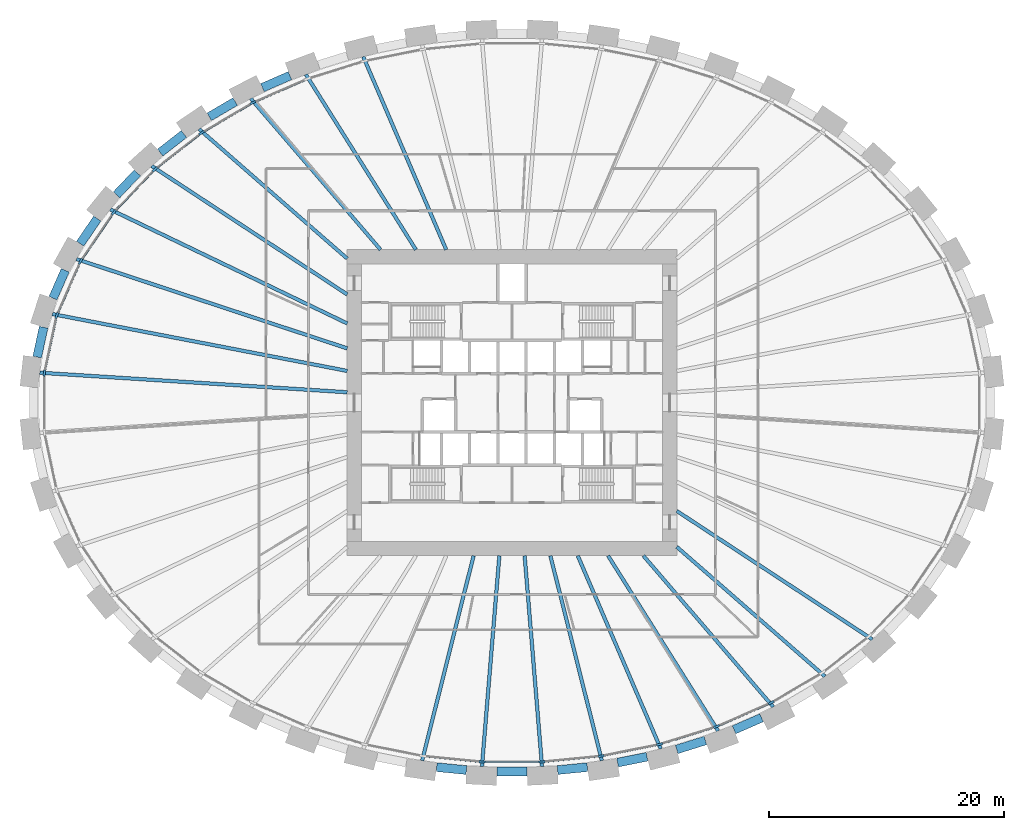
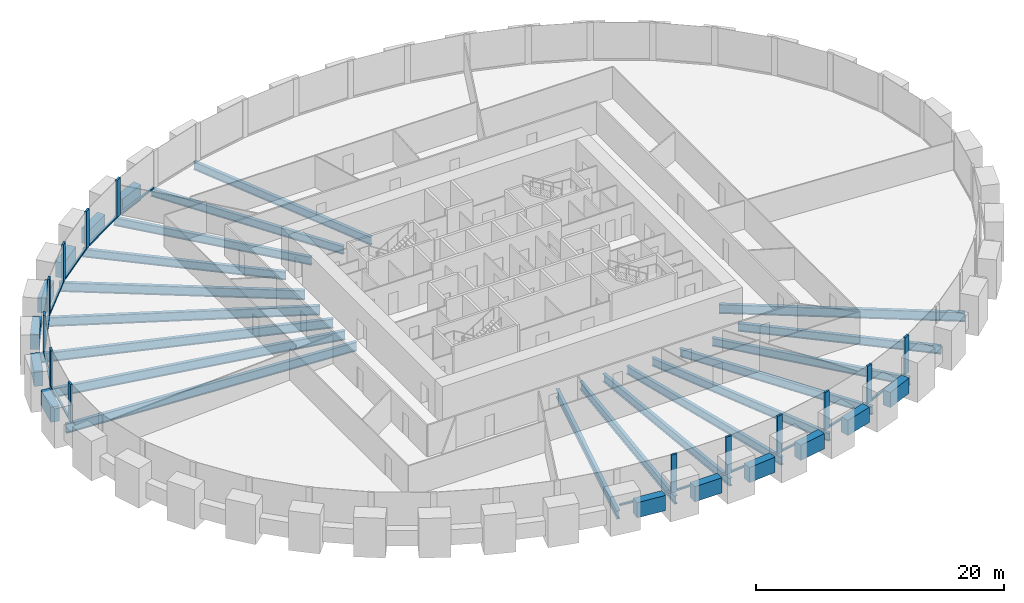
# One storey, part 2 of 10: 31 beams, 26 members, 1 element without a shape of its own.
"""IFC4 building model written with IfcOpenShell, lengths in metres."""

from ifc_helpers import new_model, si_unit, direction, frame, origin, origin_2d, place, context, subcontext, project, spatial, rectangle, i_section, extrude, source, transform, mapped, material, material_profile, profile_set, type_object, element, aggregate, save


model = new_model("IFC4")

# Units and contexts
model_context = context("Model", 3, precision=1e-05, world=origin(), true_north=direction((0.0, 1.0)))
body_context = subcontext(model_context, "Body", "Model", "MODEL_VIEW")
ifc_project = project(units=[si_unit("LENGTHUNIT", "METRE"), si_unit("AREAUNIT", "SQUARE_METRE"), si_unit("VOLUMEUNIT", "CUBIC_METRE"), si_unit("PLANEANGLEUNIT", "RADIAN"), si_unit("MASSUNIT", "GRAM", prefix="KILO")], contexts=[model_context])

# Site, building, storey
site_placement = place(None, origin())
site = spatial("IfcSite", under=ifc_project, at=site_placement, CompositionType="ELEMENT")
building_placement = place(site_placement, origin())
building = spatial("IfcBuilding", under=site, at=building_placement, Name="Embergate Tower", CompositionType="ELEMENT")
storey_placement = place(building_placement, frame((0.0, 0.0, 81.5)))
storey = spatial("IfcBuildingStorey", under=building, at=storey_placement, Name="L16", CompositionType="ELEMENT", Elevation=81.5)

# Beams
ifc_material_1 = material(Name="Concrete C70", Category="concrete")
ifc_material_profile_1 = material_profile(ifc_material_1, rectangle(XDim=0.75, YDim=1.5, at=origin_2d()), Name="RC 750x1500")
ifc_profile_set_1 = profile_set([ifc_material_profile_1], Name="Concrete C70")
beam_type_1 = type_object("IfcBeamType", Name="Spandrel beam RC 750x1500 C70", PredefinedType="BEAM", material=ifc_profile_set_1)
shared_shape_1 = source(origin(), body_context, "Body", "SweptSolid", [
    extrude(rectangle(XDim=0.75, YDim=1.5, at=origin_2d()), origin(), (0.0, 0.0, 1.0), 2.5869140625),
])
beam_1_placement = place(storey_placement, frame((-39.799072265625, 6.408935546875, 0.0), z_axis=(-0.210270227171, -0.977643304874, 0.0), x_axis=(0.977643304874, -0.210270227171, 0.0)))
element("IfcBeam", 1, at=beam_1_placement, inside=storey, type_object=beam_type_1, Name="SPN-L16-20", PredefinedType="BEAM", context=body_context, shape_type="MappedRepresentation", body=[
    mapped(shared_shape_1, transform((0.0, 0.0, 0.0))),
])
shared_shape_2 = source(origin(), body_context, "Body", "SweptSolid", [
    extrude(rectangle(XDim=0.75, YDim=1.5, at=origin_2d()), origin(), (0.0, 0.0, 1.0), 2.583251953125),
])
beam_2_placement = place(storey_placement, frame((-37.9619140625, 11.2490234375, 0.0), z_axis=(-0.401468201792, -0.915872962233, 0.0), x_axis=(0.915872962233, -0.401468201792, 0.0)))
element("IfcBeam", 2, at=beam_2_placement, inside=storey, type_object=beam_type_1, Name="SPN-L16-19", PredefinedType="BEAM", context=body_context, shape_type="MappedRepresentation", body=[
    mapped(shared_shape_2, transform((0.0, 0.0, 0.0))),
])
shared_shape_3 = source(origin(), body_context, "Body", "SweptSolid", [
    extrude(rectangle(XDim=0.75, YDim=1.5, at=origin_2d()), origin(), (0.0, 0.0, 1.0), 2.574951171875),
])
beam_3_placement = place(storey_placement, frame((-35.238037109375, 15.64306640625, 0.0), z_axis=(-0.562356702599, -0.826894756932, 0.0), x_axis=(0.826894756932, -0.562356702599, 0.0)))
element("IfcBeam", 3, at=beam_3_placement, inside=storey, type_object=beam_type_1, Name="SPN-L16-18", PredefinedType="BEAM", context=body_context, shape_type="MappedRepresentation", body=[
    mapped(shared_shape_3, transform((0.0, 0.0, 0.0))),
])
shared_shape_4 = source(origin(), body_context, "Body", "SweptSolid", [
    extrude(rectangle(XDim=0.75, YDim=1.5, at=origin_2d()), origin(), (0.0, 0.0, 1.0), 2.568115234375),
])
beam_4_placement = place(storey_placement, frame((-31.83203125, 19.52392578125, 0.0), z_axis=(-0.68998268655, -0.723825871506, 0.0), x_axis=(0.723825871506, -0.68998268655, 0.0)))
element("IfcBeam", 4, at=beam_4_placement, inside=storey, type_object=beam_type_1, Name="SPN-L16-17", PredefinedType="BEAM", context=body_context, shape_type="MappedRepresentation", body=[
    mapped(shared_shape_4, transform((0.0, 0.0, 0.0))),
])
shared_shape_5 = source(origin(), body_context, "Body", "SweptSolid", [
    extrude(rectangle(XDim=0.75, YDim=1.5, at=origin_2d()), origin(), (0.0, 0.0, 1.0), 2.560791015625),
])
beam_5_placement = place(storey_placement, frame((-27.8720703125, 22.8291015625, 0.0), z_axis=(-0.788437573921, -0.615114779557, 0.0), x_axis=(0.615114779557, -0.788437573921, 0.0)))
element("IfcBeam", 5, at=beam_5_placement, inside=storey, type_object=beam_type_1, Name="SPN-L16-16", PredefinedType="BEAM", context=body_context, shape_type="MappedRepresentation", body=[
    mapped(shared_shape_5, transform((0.0, 0.0, 0.0))),
])
shared_shape_6 = source(origin(), body_context, "Body", "SweptSolid", [
    extrude(rectangle(XDim=0.75, YDim=1.5, at=origin_2d()), origin(), (0.0, 0.0, 1.0), 2.55517578125),
])
beam_6_placement = place(storey_placement, frame((-23.51904296875, 25.5859375, 0.0), z_axis=(-0.862086455961, -0.506761228241, 0.0), x_axis=(0.506761228241, -0.862086455961, 0.0)))
element("IfcBeam", 6, at=beam_6_placement, inside=storey, type_object=beam_type_1, Name="SPN-L16-15", PredefinedType="BEAM", context=body_context, shape_type="MappedRepresentation", body=[
    mapped(shared_shape_6, transform((0.0, 0.0, 0.0))),
])
shared_shape_7 = source(origin(), body_context, "Body", "SweptSolid", [
    extrude(rectangle(XDim=0.75, YDim=1.5, at=origin_2d()), origin(), (0.0, 0.0, 1.0), 2.552001953125),
])
for number, where, z_axis, x_axis, name in (
    (7, (-18.864990234375, 27.791015625, 0.0), (-0.916139768309, -0.400858983836, 0.0), (0.400858983836, -0.916139768309, 0.0), "SPN-L16-14"),
    (8, (18.864990234375, -27.791015625, 0.0), (0.916139768309, 0.400858983836, 0.0), (-0.400858983836, 0.916139768309, 0.0), "SPN-L16-36"),
):
    element("IfcBeam", number, at=place(storey_placement, frame(where, z_axis=z_axis, x_axis=x_axis)), inside=storey, type_object=beam_type_1, Name=name, PredefinedType="BEAM", context=body_context, shape_type="MappedRepresentation", body=[
        mapped(shared_shape_7, transform((0.0, 0.0, 0.0))),
    ])
shared_shape_8 = source(origin(), body_context, "Body", "SweptSolid", [
    extrude(rectangle(XDim=0.75, YDim=1.5, at=origin_2d()), origin(), (0.0, 0.0, 1.0), 2.55029296875),
])
beam_7_placement = place(storey_placement, frame((13.993896484375, -29.4580078125, 0.0), z_axis=(0.954803055826, 0.297239170678, 0.0), x_axis=(-0.297239170678, 0.954803055826, 0.0)))
element("IfcBeam", 9, at=beam_7_placement, inside=storey, type_object=beam_type_1, Name="SPN-L16-35", PredefinedType="BEAM", context=body_context, shape_type="MappedRepresentation", body=[
    mapped(shared_shape_8, transform((0.0, 0.0, 0.0))),
])
shared_shape_9 = source(origin(), body_context, "Body", "SweptSolid", [
    extrude(rectangle(XDim=0.75, YDim=1.5, at=origin_2d()), origin(), (0.0, 0.0, 1.0), 2.546875),
])
beam_8_placement = place(storey_placement, frame((8.972900390625, -30.58203125, 0.0), z_axis=(0.980462515934, 0.196706011214, 0.0), x_axis=(-0.196706011214, 0.980462515934, 0.0)))
element("IfcBeam", 10, at=beam_8_placement, inside=storey, type_object=beam_type_1, Name="SPN-L16-34", PredefinedType="BEAM", context=body_context, shape_type="MappedRepresentation", body=[
    mapped(shared_shape_9, transform((0.0, 0.0, 0.0))),
])
shared_shape_10 = source(origin(), body_context, "Body", "SweptSolid", [
    extrude(rectangle(XDim=0.75, YDim=1.5, at=origin_2d()), origin(), (0.0, 0.0, 1.0), 2.544189453125),
])
for number, where, z_axis, x_axis, name in (
    (11, (-6.402099609375, -30.966064453125, 0.0), (0.995198330328, -0.097878921698, 0.0), (0.097878921698, 0.995198330328, 0.0), "SPN-L16-31"),
    (12, (3.8701171875, -31.215087890625, 0.0), (0.995198330328, 0.097878921698, 0.0), (-0.097878921698, 0.995198330328, 0.0), "SPN-L16-33"),
):
    element("IfcBeam", number, at=place(storey_placement, frame(where, z_axis=z_axis, x_axis=x_axis)), inside=storey, type_object=beam_type_1, Name=name, PredefinedType="BEAM", context=body_context, shape_type="MappedRepresentation", body=[
        mapped(shared_shape_10, transform((0.0, 0.0, 0.0))),
    ])
shared_shape_11 = source(origin(), body_context, "Body", "SweptSolid", [
    extrude(rectangle(XDim=0.75, YDim=1.5, at=origin_2d()), origin(), (0.0, 0.0, 1.0), 2.5458984375),
])
beam_9_placement = place(storey_placement, frame((-1.27294921875, -31.342041015625, 0.0), z_axis=(1.0, 0.0, 0.0), x_axis=(0.0, 1.0, 0.0)))
element("IfcBeam", 13, at=beam_9_placement, inside=storey, type_object=beam_type_1, Name="SPN-L16-32", PredefinedType="BEAM", context=body_context, shape_type="MappedRepresentation", body=[
    mapped(shared_shape_11, transform((0.0, 0.0, 0.0))),
])
ifc_material_2 = material(Name="Steel Q355B", Category="steel")
ifc_material_profile_2 = material_profile(ifc_material_2, i_section(OverallWidth=0.300048828125, OverallDepth=0.89990234375, WebThickness=0.01611328125, FlangeThickness=0.028076171875, FilletRadius=0.028076171875, at=origin_2d()), Name="HN 900x300x16x28")
ifc_profile_set_2 = profile_set([ifc_material_profile_2], Name="Steel Q355 grade B")
beam_type_2 = type_object("IfcBeamType", Name="Radial girder HN 900x300x16x28", PredefinedType="BEAM", material=ifc_profile_set_2)
shared_shape_12 = source(origin(), body_context, "Body", "SweptSolid", [
    extrude(i_section(OverallWidth=0.300048828125, OverallDepth=0.89990234375, WebThickness=0.01611328125, FlangeThickness=0.028076171875, FilletRadius=0.028076171875, at=origin_2d()), origin(), (0.0, 0.0, 1.0), 26.17578125),
])
beam_10_placement = place(storey_placement, frame((-40.123046875, 2.549072265625, -0.64990234375), z_axis=(0.997989066798, -0.063386296243, 0.0), x_axis=(0.063386296243, 0.997989066798, 0.0)))
element("IfcBeam", 14, at=beam_10_placement, inside=storey, type_object=beam_type_2, Name="GIR-L16-21", PredefinedType="BEAM", context=body_context, shape_type="MappedRepresentation", body=[
    mapped(shared_shape_12, transform((0.0, 0.0, 0.0))),
])
shared_shape_13 = source(origin(), body_context, "Body", "SweptSolid", [
    extrude(i_section(OverallWidth=0.300048828125, OverallDepth=0.89990234375, WebThickness=0.01611328125, FlangeThickness=0.028076171875, FilletRadius=0.028076171875, at=origin_2d()), origin(), (0.0, 0.0, 1.0), 25.5126953125),
])
beam_11_placement = place(storey_placement, frame((-39.051025390625, 7.532958984375, -0.64990234375), z_axis=(0.981900703084, -0.189396434187, 0.0), x_axis=(0.189396434187, 0.981900703084, 0.0)))
element("IfcBeam", 15, at=beam_11_placement, inside=storey, type_object=beam_type_2, Name="GIR-L16-20", PredefinedType="BEAM", context=body_context, shape_type="MappedRepresentation", body=[
    mapped(shared_shape_13, transform((0.0, 0.0, 0.0))),
])
shared_shape_14 = source(origin(), body_context, "Body", "SweptSolid", [
    extrude(i_section(OverallWidth=0.300048828125, OverallDepth=0.89990234375, WebThickness=0.01611328125, FlangeThickness=0.028076171875, FilletRadius=0.028076171875, at=origin_2d()), origin(), (0.0, 0.0, 1.0), 24.221435546875),
])
beam_12_placement = place(storey_placement, frame((-37.0029296875, 12.202880859375, -0.64990234375), z_axis=(0.949690422, -0.313190201575, 0.0), x_axis=(0.313190201575, 0.949690422, 0.0)))
element("IfcBeam", 16, at=beam_12_placement, inside=storey, type_object=beam_type_2, Name="GIR-L16-19", PredefinedType="BEAM", context=body_context, shape_type="MappedRepresentation", body=[
    mapped(shared_shape_14, transform((0.0, 0.0, 0.0))),
])
shared_shape_15 = source(origin(), body_context, "Body", "SweptSolid", [
    extrude(i_section(OverallWidth=0.300048828125, OverallDepth=0.89990234375, WebThickness=0.01611328125, FlangeThickness=0.028076171875, FilletRadius=0.028076171875, at=origin_2d()), origin(), (0.0, 0.0, 1.0), 22.343505859375),
])
beam_13_placement = place(storey_placement, frame((-34.135009765625, 16.4208984375, -0.64990234375), z_axis=(0.901156313857, -0.433494288308, 0.0), x_axis=(0.433494288308, 0.901156313857, 0.0)))
element("IfcBeam", 17, at=beam_13_placement, inside=storey, type_object=beam_type_2, Name="GIR-L16-18", PredefinedType="BEAM", context=body_context, shape_type="MappedRepresentation", body=[
    mapped(shared_shape_15, transform((0.0, 0.0, 0.0))),
])
shared_shape_16 = source(origin(), body_context, "Body", "SweptSolid", [
    extrude(i_section(OverallWidth=0.300048828125, OverallDepth=0.89990234375, WebThickness=0.01611328125, FlangeThickness=0.028076171875, FilletRadius=0.028076171875, at=origin_2d()), origin(), (0.0, 0.0, 1.0), 19.8779296875),
])
for number, where, z_axis, x_axis, name in (
    (18, (-30.613037109375, 20.113037109375, -0.64990234375), (0.835753953274, -0.549104115434, 0.0), (0.549104115434, 0.835753953274, 0.0), "GIR-L16-17"),
    (19, (30.613037109375, -20.113037109375, -0.64990234375), (-0.835753953274, 0.549104115434, 0.0), (-0.549104115434, -0.835753953274, 0.0), "GIR-L16-39"),
):
    element("IfcBeam", number, at=place(storey_placement, frame(where, z_axis=z_axis, x_axis=x_axis)), inside=storey, type_object=beam_type_2, Name=name, PredefinedType="BEAM", context=body_context, shape_type="MappedRepresentation", body=[
        mapped(shared_shape_16, transform((0.0, 0.0, 0.0))),
    ])
ifc_material_profile_3 = material_profile(ifc_material_2, i_section(OverallWidth=0.300048828125, OverallDepth=0.800048828125, WebThickness=0.013916015625, FlangeThickness=0.02587890625, FilletRadius=0.028076171875, at=origin_2d()), Name="HN 800x300x14x26")
ifc_profile_set_3 = profile_set([ifc_material_profile_3], Name="Steel Q355 grade B")
beam_type_3 = type_object("IfcBeamType", Name="Radial girder HN 800x300x14x26", PredefinedType="BEAM", material=ifc_profile_set_3)
shared_shape_17 = source(origin(), body_context, "Body", "SweptSolid", [
    extrude(i_section(OverallWidth=0.300048828125, OverallDepth=0.800048828125, WebThickness=0.013916015625, FlangeThickness=0.02587890625, FilletRadius=0.028076171875, at=origin_2d()), origin(), (0.0, 0.0, 1.0), 16.72509765625),
])
for number, where, z_axis, x_axis, name in (
    (20, (-26.590087890625, 23.2529296875, -0.60009765625), (0.752763844536, -0.658290660999, 0.0), (0.658290660999, 0.752763844536, 0.0), "GIR-L16-16"),
    (21, (26.590087890625, -23.2529296875, -0.60009765625), (-0.752763844536, 0.658290660999, 0.0), (-0.658290660999, -0.752763844536, 0.0), "GIR-L16-38"),
):
    element("IfcBeam", number, at=place(storey_placement, frame(where, z_axis=z_axis, x_axis=x_axis)), inside=storey, type_object=beam_type_3, Name=name, PredefinedType="BEAM", context=body_context, shape_type="MappedRepresentation", body=[
        mapped(shared_shape_17, transform((0.0, 0.0, 0.0))),
    ])
shared_shape_18 = source(origin(), body_context, "Body", "SweptSolid", [
    extrude(i_section(OverallWidth=0.300048828125, OverallDepth=0.800048828125, WebThickness=0.013916015625, FlangeThickness=0.02587890625, FilletRadius=0.028076171875, at=origin_2d()), origin(), (0.0, 0.0, 1.0), 16.924560546875),
])
for number, where, z_axis, x_axis, name in (
    (22, (-22.18994140625, 25.840087890625, -0.60009765625), (0.651475377488, -0.758669778314, 0.0), (0.758669778314, 0.651475377488, 0.0), "GIR-L16-15"),
    (23, (22.18994140625, -25.840087890625, -0.60009765625), (-0.651475377488, 0.758669778314, 0.0), (-0.758669778314, -0.651475377488, 0.0), "GIR-L16-37"),
):
    element("IfcBeam", number, at=place(storey_placement, frame(where, z_axis=z_axis, x_axis=x_axis)), inside=storey, type_object=beam_type_3, Name=name, PredefinedType="BEAM", context=body_context, shape_type="MappedRepresentation", body=[
        mapped(shared_shape_18, transform((0.0, 0.0, 0.0))),
    ])
shared_shape_19 = source(origin(), body_context, "Body", "SweptSolid", [
    extrude(i_section(OverallWidth=0.300048828125, OverallDepth=0.800048828125, WebThickness=0.013916015625, FlangeThickness=0.02587890625, FilletRadius=0.028076171875, at=origin_2d()), origin(), (0.0, 0.0, 1.0), 17.578125),
])
for number, where, z_axis, x_axis, name in (
    (24, (-17.512939453125, 27.885986328125, -0.60009765625), (0.53184411478, -0.846842274319, 0.0), (0.846842274319, 0.53184411478, 0.0), "GIR-L16-14"),
    (25, (17.512939453125, -27.885986328125, -0.60009765625), (-0.53184411478, 0.846842274319, 0.0), (-0.846842274319, -0.53184411478, 0.0), "GIR-L16-36"),
):
    element("IfcBeam", number, at=place(storey_placement, frame(where, z_axis=z_axis, x_axis=x_axis)), inside=storey, type_object=beam_type_3, Name=name, PredefinedType="BEAM", context=body_context, shape_type="MappedRepresentation", body=[
        mapped(shared_shape_19, transform((0.0, 0.0, 0.0))),
    ])
shared_shape_20 = source(origin(), body_context, "Body", "SweptSolid", [
    extrude(i_section(OverallWidth=0.300048828125, OverallDepth=0.800048828125, WebThickness=0.013916015625, FlangeThickness=0.02587890625, FilletRadius=0.028076171875, at=origin_2d()), origin(), (0.0, 0.0, 1.0), 17.854248046875),
])
for number, where, z_axis, x_axis, name in (
    (26, (-12.638916015625, 29.403076171875, -0.60009765625), (0.394919154383, -0.918715876374, 0.0), (0.918715876374, 0.394919154383, 0.0), "GIR-L16-13"),
    (27, (12.638916015625, -29.403076171875, -0.60009765625), (-0.394919154383, 0.918715876374, 0.0), (-0.918715876374, -0.394919154383, 0.0), "GIR-L16-35"),
):
    element("IfcBeam", number, at=place(storey_placement, frame(where, z_axis=z_axis, x_axis=x_axis)), inside=storey, type_object=beam_type_3, Name=name, PredefinedType="BEAM", context=body_context, shape_type="MappedRepresentation", body=[
        mapped(shared_shape_20, transform((0.0, 0.0, 0.0))),
    ])
shared_shape_21 = source(origin(), body_context, "Body", "SweptSolid", [
    extrude(i_section(OverallWidth=0.300048828125, OverallDepth=0.800048828125, WebThickness=0.013916015625, FlangeThickness=0.02587890625, FilletRadius=0.028076171875, at=origin_2d()), origin(), (0.0, 0.0, 1.0), 17.947265625),
])
for number, where, z_axis, x_axis, name in (
    (28, (-7.633056640625, -30.406982421875, -0.60009765625), (0.243498938638, 0.969901163461, 0.0), (-0.969901163461, 0.243498938638, 0.0), "GIR-L16-31"),
    (29, (7.633056640625, -30.406982421875, -0.60009765625), (-0.243498938638, 0.969901163461, 0.0), (-0.969901163461, -0.243498938638, 0.0), "GIR-L16-34"),
):
    element("IfcBeam", number, at=place(storey_placement, frame(where, z_axis=z_axis, x_axis=x_axis)), inside=storey, type_object=beam_type_3, Name=name, PredefinedType="BEAM", context=body_context, shape_type="MappedRepresentation", body=[
        mapped(shared_shape_21, transform((0.0, 0.0, 0.0))),
    ])
shared_shape_22 = source(origin(), body_context, "Body", "SweptSolid", [
    extrude(i_section(OverallWidth=0.300048828125, OverallDepth=0.800048828125, WebThickness=0.013916015625, FlangeThickness=0.02587890625, FilletRadius=0.028076171875, at=origin_2d()), origin(), (0.0, 0.0, 1.0), 17.968017578125),
])
for number, where, z_axis, x_axis, name in (
    (30, (-2.552978515625, -30.906982421875, -0.60009765625), (0.082313416138, 0.996606492816, 0.0), (-0.996606492816, 0.082313416138, 0.0), "GIR-L16-32"),
    (31, (2.552978515625, -30.906982421875, -0.60009765625), (-0.082313416138, 0.996606492816, 0.0), (-0.996606492816, -0.082313416138, 0.0), "GIR-L16-33"),
):
    element("IfcBeam", number, at=place(storey_placement, frame(where, z_axis=z_axis, x_axis=x_axis)), inside=storey, type_object=beam_type_3, Name=name, PredefinedType="BEAM", context=body_context, shape_type="MappedRepresentation", body=[
        mapped(shared_shape_22, transform((0.0, 0.0, 0.0))),
    ])

# Curtain wall, members
ifc_material_3 = material(Name="Aluminium and glass", Category="aluminium")
curtain_wall_type = type_object("IfcCurtainWallType", Name="Recessed office glazing", PredefinedType="NOTDEFINED", material=ifc_material_3)
curtain_wall_placement = place(storey_placement, origin())
curtain_wall = element("IfcCurtainWall", 32, at=curtain_wall_placement, inside=storey, type_object=curtain_wall_type, Name="Recessed office glazing ring", ObjectType="RECESSED OFFICE GLAZING", PredefinedType="USERDEFINED")
ifc_material_4 = material(Name="Aluminium, thermally broken", Category="aluminium")
ifc_material_profile_4 = material_profile(ifc_material_4, rectangle(XDim=0.179931640625, YDim=0.52001953125, at=origin_2d()), Name="AL 520x180")
ifc_profile_set_4 = profile_set([ifc_material_profile_4], Name="Aluminium, thermally broken")
member_type_1 = type_object("IfcMemberType", Name="Office mullion", PredefinedType="MULLION", material=ifc_profile_set_4)
shared_shape_23 = source(origin(), body_context, "Body", "SweptSolid", [
    extrude(rectangle(XDim=0.179931640625, YDim=0.52001953125, at=origin_2d()), origin(), (0.0, 0.0, 1.0), 3.699951171875),
])
member_1_placement = place(storey_placement, frame((-22.013427734375, 25.49267578125, 0.0), z_axis=(0.0, 0.0, 1.0), x_axis=(0.454511380526, -0.890740930334, 0.0)))
member_1 = element("IfcMember", 33, at=member_1_placement, type_object=member_type_1, Name="CW mullion 16", PredefinedType="MULLION", context=body_context, shape_type="MappedRepresentation", body=[
    mapped(shared_shape_23, transform((0.0, 0.0, 0.0))),
])
member_2_placement = place(storey_placement, frame((-26.37158203125, 22.930419921875, 0.0), z_axis=(0.0, 0.0, 1.0), x_axis=(0.562217618544, -0.826989328467, 0.0)))
member_2 = element("IfcMember", 34, at=member_2_placement, type_object=member_type_1, Name="CW mullion 17", PredefinedType="MULLION", context=body_context, shape_type="MappedRepresentation", body=[
    mapped(shared_shape_23, transform((0.0, 0.0, 0.0))),
])
member_3_placement = place(storey_placement, frame((-30.352294921875, 19.823486328125, 0.0), z_axis=(0.0, 0.0, 1.0), x_axis=(0.671229121411, -0.741249935292, 0.0)))
member_3 = element("IfcMember", 35, at=member_3_placement, type_object=member_type_1, Name="CW mullion 18", PredefinedType="MULLION", context=body_context, shape_type="MappedRepresentation", body=[
    mapped(shared_shape_23, transform((0.0, 0.0, 0.0))),
])
member_4_placement = place(storey_placement, frame((-33.831787109375, 16.1748046875, 0.0), z_axis=(0.0, 0.0, 1.0), x_axis=(0.777875854755, -0.628417977615, 0.0)))
member_4 = element("IfcMember", 36, at=member_4_placement, type_object=member_type_1, Name="CW mullion 19", PredefinedType="MULLION", context=body_context, shape_type="MappedRepresentation", body=[
    mapped(shared_shape_23, transform((0.0, 0.0, 0.0))),
])
member_5_placement = place(storey_placement, frame((-36.662109375, 12.012939453125, 0.0), z_axis=(0.0, 0.0, 1.0), x_axis=(0.875005275602, -0.484113383071, 0.0)))
member_5 = element("IfcMember", 37, at=member_5_placement, type_object=member_type_1, Name="CW mullion 20", PredefinedType="MULLION", context=body_context, shape_type="MappedRepresentation", body=[
    mapped(shared_shape_23, transform((0.0, 0.0, 0.0))),
])
member_6_placement = place(storey_placement, frame((-38.68017578125, 7.412109375, 0.0), z_axis=(0.0, 0.0, 1.0), x_axis=(0.95149940886, -0.307650572791, 0.0)))
member_6 = element("IfcMember", 38, at=member_6_placement, type_object=member_type_1, Name="CW mullion 21", PredefinedType="MULLION", context=body_context, shape_type="MappedRepresentation", body=[
    mapped(shared_shape_23, transform((0.0, 0.0, 0.0))),
])
member_7_placement = place(storey_placement, frame((-39.735595703125, 2.507080078125, 0.0), z_axis=(0.0, 0.0, 1.0), x_axis=(0.994385139431, -0.105821521816, 0.0)))
member_7 = element("IfcMember", 39, at=member_7_placement, type_object=member_type_1, Name="CW mullion 22", PredefinedType="MULLION", context=body_context, shape_type="MappedRepresentation", body=[
    mapped(shared_shape_23, transform((0.0, 0.0, 0.0))),
])
member_8_placement = place(storey_placement, frame((-2.53369140625, -30.51708984375, 0.0), z_axis=(0.0, 0.0, 1.0), x_axis=(0.048971796621, 0.998800161762, 0.0)))
member_8 = element("IfcMember", 40, at=member_8_placement, type_object=member_type_1, Name="CW mullion 33", PredefinedType="MULLION", context=body_context, shape_type="MappedRepresentation", body=[
    mapped(shared_shape_23, transform((0.0, 0.0, 0.0))),
])
member_9_placement = place(storey_placement, frame((2.53369140625, -30.51708984375, 0.0), z_axis=(0.0, 0.0, 1.0), x_axis=(-0.048971796621, 0.998800161762, 0.0)))
member_9 = element("IfcMember", 41, at=member_9_placement, type_object=member_type_1, Name="CW mullion 34", PredefinedType="MULLION", context=body_context, shape_type="MappedRepresentation", body=[
    mapped(shared_shape_23, transform((0.0, 0.0, 0.0))),
])
member_10_placement = place(storey_placement, frame((7.576171875, -30.021484375, 0.0), z_axis=(0.0, 0.0, 1.0), x_axis=(-0.147412382818, 0.989075118174, 0.0)))
member_10 = element("IfcMember", 42, at=member_10_placement, type_object=member_type_1, Name="CW mullion 35", PredefinedType="MULLION", context=body_context, shape_type="MappedRepresentation", body=[
    mapped(shared_shape_23, transform((0.0, 0.0, 0.0))),
])
member_11_placement = place(storey_placement, frame((12.54296875, -29.025390625, 0.0), z_axis=(0.0, 0.0, 1.0), x_axis=(-0.24731188137, 0.968935928394, 0.0)))
member_11 = element("IfcMember", 43, at=member_11_placement, type_object=member_type_1, Name="CW mullion 36", PredefinedType="MULLION", context=body_context, shape_type="MappedRepresentation", body=[
    mapped(shared_shape_23, transform((0.0, 0.0, 0.0))),
])
member_12_placement = place(storey_placement, frame((17.377197265625, -27.519775390625, 0.0), z_axis=(0.0, 0.0, 1.0), x_axis=(-0.349502682851, 0.936935363128, 0.0)))
member_12 = element("IfcMember", 44, at=member_12_placement, type_object=member_type_1, Name="CW mullion 37", PredefinedType="MULLION", context=body_context, shape_type="MappedRepresentation", body=[
    mapped(shared_shape_23, transform((0.0, 0.0, 0.0))),
])
member_13_placement = place(storey_placement, frame((22.013427734375, -25.49267578125, 0.0), z_axis=(0.0, 0.0, 1.0), x_axis=(-0.454511380526, 0.890740930334, 0.0)))
member_13 = element("IfcMember", 45, at=member_13_placement, type_object=member_type_1, Name="CW mullion 38", PredefinedType="MULLION", context=body_context, shape_type="MappedRepresentation", body=[
    mapped(shared_shape_23, transform((0.0, 0.0, 0.0))),
])
ifc_material_profile_5 = material_profile(ifc_material_4, rectangle(XDim=0.179931640625, YDim=0.14990234375, at=origin_2d()), Name="AL 150x180")
ifc_profile_set_5 = profile_set([ifc_material_profile_5], Name="Aluminium, thermally broken")
member_type_2 = type_object("IfcMemberType", Name="Office sill transom", PredefinedType="USERDEFINED", material=ifc_profile_set_5)
shared_shape_24 = source(origin(), body_context, "Body", "SweptSolid", [
    extrude(rectangle(XDim=0.179931640625, YDim=0.14990234375, at=origin_2d()), origin(), (0.0, 0.0, 1.0), 4.529296875),
])
member_14_placement = place(storey_placement, frame((-26.57666015625, 22.7705078125, 0.074951171875), z_axis=(-0.788306218653, -0.615283110148, 0.0), x_axis=(0.615283110148, -0.788306218653, 0.0)))
member_14 = element("IfcMember", 46, at=member_14_placement, type_object=member_type_2, Name="CW transom 17.1", ObjectType="TRANSOM", PredefinedType="USERDEFINED", context=body_context, shape_type="MappedRepresentation", body=[
    mapped(shared_shape_24, transform((0.0, 0.0, 0.0))),
])
shared_shape_25 = source(origin(), body_context, "Body", "SweptSolid", [
    extrude(rectangle(XDim=0.179931640625, YDim=0.14990234375, at=origin_2d()), origin(), (0.0, 0.0, 1.0), 4.496826171875),
])
member_15_placement = place(storey_placement, frame((-38.73486328125, 7.15771484375, 0.074951171875), z_axis=(-0.210378069806, -0.977620104, 0.0), x_axis=(0.977620104, -0.210378069806, 0.0)))
member_15 = element("IfcMember", 47, at=member_15_placement, type_object=member_type_2, Name="CW transom 21.1", ObjectType="TRANSOM", PredefinedType="USERDEFINED", context=body_context, shape_type="MappedRepresentation", body=[
    mapped(shared_shape_25, transform((0.0, 0.0, 0.0))),
])
shared_shape_26 = source(origin(), body_context, "Body", "SweptSolid", [
    extrude(rectangle(XDim=0.179931640625, YDim=0.14990234375, at=origin_2d()), origin(), (0.0, 0.0, 1.0), 4.504150390625),
])
member_16_placement = place(storey_placement, frame((-36.7666015625, 11.77490234375, 0.074951171875), z_axis=(-0.401657507377, -0.915789957778, 0.0), x_axis=(0.915789957778, -0.401657507377, 0.0)))
member_16 = element("IfcMember", 48, at=member_16_placement, type_object=member_type_2, Name="CW transom 20.1", ObjectType="TRANSOM", PredefinedType="USERDEFINED", context=body_context, shape_type="MappedRepresentation", body=[
    mapped(shared_shape_26, transform((0.0, 0.0, 0.0))),
])
shared_shape_27 = source(origin(), body_context, "Body", "SweptSolid", [
    extrude(rectangle(XDim=0.179931640625, YDim=0.14990234375, at=origin_2d()), origin(), (0.0, 0.0, 1.0), 4.51318359375),
])
member_17_placement = place(storey_placement, frame((-33.97802734375, 15.9599609375, 0.074951171875), z_axis=(-0.562329256749, -0.82691342171, 0.0), x_axis=(0.82691342171, -0.562329256749, 0.0)))
member_17 = element("IfcMember", 49, at=member_17_placement, type_object=member_type_2, Name="CW transom 19.1", ObjectType="TRANSOM", PredefinedType="USERDEFINED", context=body_context, shape_type="MappedRepresentation", body=[
    mapped(shared_shape_27, transform((0.0, 0.0, 0.0))),
])
shared_shape_28 = source(origin(), body_context, "Body", "SweptSolid", [
    extrude(rectangle(XDim=0.179931640625, YDim=0.14990234375, at=origin_2d()), origin(), (0.0, 0.0, 1.0), 4.52197265625),
])
member_18_placement = place(storey_placement, frame((-30.531494140625, 19.635498046875, 0.074951171875), z_axis=(-0.690144384651, -0.723671699277, 0.0), x_axis=(0.723671699277, -0.690144384651, 0.0)))
member_18 = element("IfcMember", 50, at=member_18_placement, type_object=member_type_2, Name="CW transom 18.1", ObjectType="TRANSOM", PredefinedType="USERDEFINED", context=body_context, shape_type="MappedRepresentation", body=[
    mapped(shared_shape_28, transform((0.0, 0.0, 0.0))),
])
shared_shape_29 = source(origin(), body_context, "Body", "SweptSolid", [
    extrude(rectangle(XDim=0.179931640625, YDim=0.14990234375, at=origin_2d()), origin(), (0.0, 0.0, 1.0), 4.535400390625),
])
member_19_placement = place(storey_placement, frame((-22.23779296875, 25.36083984375, 0.074951171875), z_axis=(-0.862028298447, -0.506860151004, 0.0), x_axis=(0.506860151004, -0.862028298447, 0.0)))
member_19 = element("IfcMember", 51, at=member_19_placement, type_object=member_type_2, Name="CW transom 16.1", ObjectType="TRANSOM", PredefinedType="USERDEFINED", context=body_context, shape_type="MappedRepresentation", body=[
    mapped(shared_shape_29, transform((0.0, 0.0, 0.0))),
])
shared_shape_30 = source(origin(), body_context, "Body", "SweptSolid", [
    extrude(rectangle(XDim=0.179931640625, YDim=0.14990234375, at=origin_2d()), origin(), (0.0, 0.0, 1.0), 4.540283203125),
])
member_20_placement = place(storey_placement, frame((-17.615478515625, 27.415771484375, 0.074951171875), z_axis=(-0.91622766565, -0.400658039601, 0.0), x_axis=(0.400658039601, -0.91622766565, 0.0)))
member_20 = element("IfcMember", 52, at=member_20_placement, type_object=member_type_2, Name="CW transom 15.1", ObjectType="TRANSOM", PredefinedType="USERDEFINED", context=body_context, shape_type="MappedRepresentation", body=[
    mapped(shared_shape_30, transform((0.0, 0.0, 0.0))),
])
member_21_placement = place(storey_placement, frame((17.615478515625, -27.415771484375, 0.074951171875), z_axis=(0.91622766565, 0.400658039601, 0.0), x_axis=(-0.400658039601, 0.91622766565, 0.0)))
member_21 = element("IfcMember", 53, at=member_21_placement, type_object=member_type_2, Name="CW transom 37.1", ObjectType="TRANSOM", PredefinedType="USERDEFINED", context=body_context, shape_type="MappedRepresentation", body=[
    mapped(shared_shape_30, transform((0.0, 0.0, 0.0))),
])
shared_shape_31 = source(origin(), body_context, "Body", "SweptSolid", [
    extrude(rectangle(XDim=0.179931640625, YDim=0.14990234375, at=origin_2d()), origin(), (0.0, 0.0, 1.0), 4.54345703125),
])
member_22_placement = place(storey_placement, frame((12.791259765625, -28.947998046875, 0.074951171875), z_axis=(0.954777820435, 0.297320220648, 0.0), x_axis=(-0.297320220648, 0.954777820435, 0.0)))
member_22 = element("IfcMember", 54, at=member_22_placement, type_object=member_type_2, Name="CW transom 36.1", ObjectType="TRANSOM", PredefinedType="USERDEFINED", context=body_context, shape_type="MappedRepresentation", body=[
    mapped(shared_shape_31, transform((0.0, 0.0, 0.0))),
])
shared_shape_32 = source(origin(), body_context, "Body", "SweptSolid", [
    extrude(rectangle(XDim=0.179931640625, YDim=0.14990234375, at=origin_2d()), origin(), (0.0, 0.0, 1.0), 4.54541015625),
])
member_23_placement = place(storey_placement, frame((7.831298828125, -29.97021484375, 0.074951171875), z_axis=(0.980477251105, 0.196632550879, 0.0), x_axis=(-0.196632550879, 0.980477251105, 0.0)))
member_23 = element("IfcMember", 55, at=member_23_placement, type_object=member_type_2, Name="CW transom 35.1", ObjectType="TRANSOM", PredefinedType="USERDEFINED", context=body_context, shape_type="MappedRepresentation", body=[
    mapped(shared_shape_32, transform((0.0, 0.0, 0.0))),
])
shared_shape_33 = source(origin(), body_context, "Body", "SweptSolid", [
    extrude(rectangle(XDim=0.179931640625, YDim=0.14990234375, at=origin_2d()), origin(), (0.0, 0.0, 1.0), 4.546630859375),
])
member_24_placement = place(storey_placement, frame((-7.3173828125, -30.046875, 0.074951171875), z_axis=(0.995202726131, -0.097834216414, 0.0), x_axis=(0.097834216414, 0.995202726131, 0.0)))
member_24 = element("IfcMember", 56, at=member_24_placement, type_object=member_type_2, Name="CW transom 32.1", ObjectType="TRANSOM", PredefinedType="USERDEFINED", context=body_context, shape_type="MappedRepresentation", body=[
    mapped(shared_shape_33, transform((0.0, 0.0, 0.0))),
])
member_25_placement = place(storey_placement, frame((2.79248046875, -30.49169921875, 0.074951171875), z_axis=(0.995202726131, 0.097834216414, 0.0), x_axis=(-0.097834216414, 0.995202726131, 0.0)))
member_25 = element("IfcMember", 57, at=member_25_placement, type_object=member_type_2, Name="CW transom 34.1", ObjectType="TRANSOM", PredefinedType="USERDEFINED", context=body_context, shape_type="MappedRepresentation", body=[
    mapped(shared_shape_33, transform((0.0, 0.0, 0.0))),
])
shared_shape_34 = source(origin(), body_context, "Body", "SweptSolid", [
    extrude(rectangle(XDim=0.179931640625, YDim=0.14990234375, at=origin_2d()), origin(), (0.0, 0.0, 1.0), 4.54736328125),
])
member_26_placement = place(storey_placement, frame((-2.273681640625, -30.51708984375, 0.074951171875), z_axis=(1.0, 0.0, 0.0), x_axis=(0.0, 1.0, 0.0)))
member_26 = element("IfcMember", 58, at=member_26_placement, type_object=member_type_2, Name="CW transom 33.1", ObjectType="TRANSOM", PredefinedType="USERDEFINED", context=body_context, shape_type="MappedRepresentation", body=[
    mapped(shared_shape_34, transform((0.0, 0.0, 0.0))),
])
aggregate(curtain_wall, [member_1, member_2, member_3, member_4, member_5, member_6, member_7, member_8, member_9, member_10, member_11, member_12, member_13, member_20, member_19, member_14, member_18, member_17, member_16, member_15, member_24, member_26, member_25, member_23, member_22, member_21])

save(model, "model.ifc")
